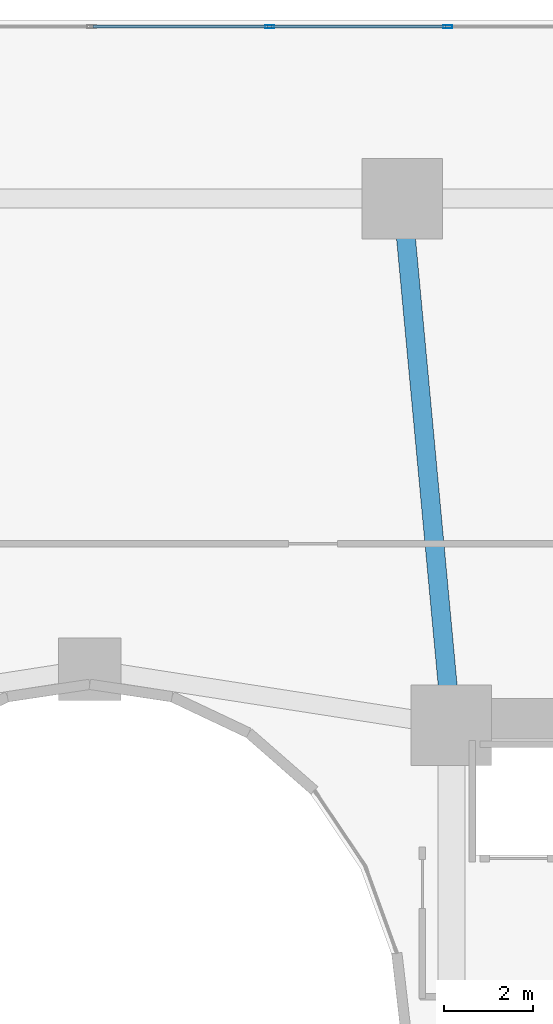
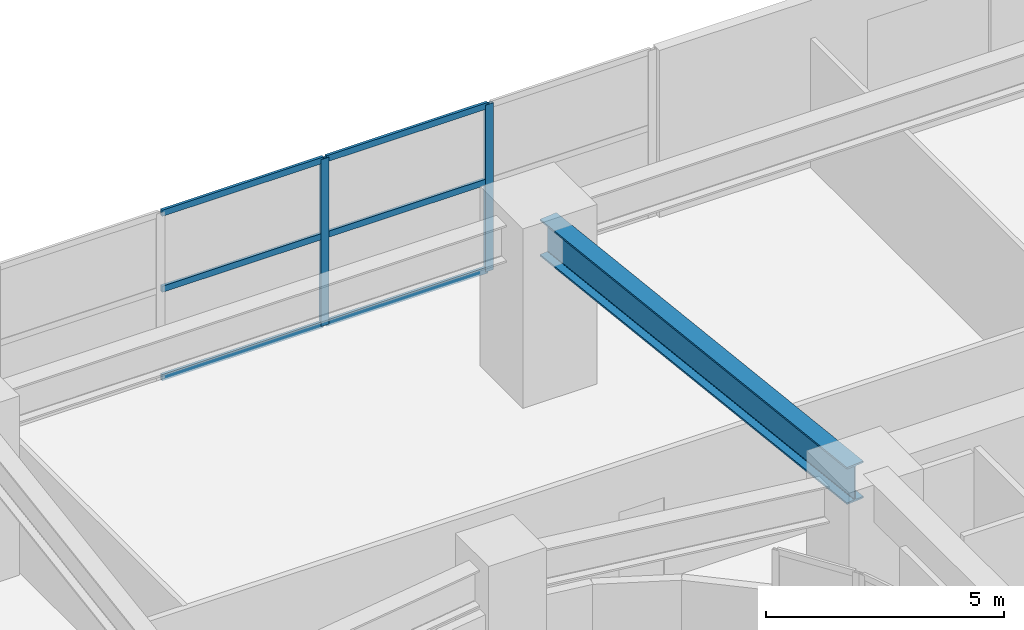
# One storey, part 12 of 25: 8 members, 1 beam, 1 element without a shape of its own.
"""IFC4 building model written with IfcOpenShell, lengths in metres."""

from ifc_helpers import new_model, si_unit, direction, frame, origin, origin_2d, place, context, subcontext, project, spatial, hollow_rectangle, i_section, extrude, material, layer, layer_set, material_profile, profile_set, type_object, element, aggregate, save


model = new_model("IFC4")

# Units and contexts
model_context = context("Model", 3, precision=1e-05, world=origin(), true_north=direction((0.0, 1.0)))
body_context = subcontext(model_context, "Body", "Model", "MODEL_VIEW")
ifc_project = project(units=[si_unit("LENGTHUNIT", "METRE"), si_unit("AREAUNIT", "SQUARE_METRE"), si_unit("VOLUMEUNIT", "CUBIC_METRE"), si_unit("PLANEANGLEUNIT", "RADIAN"), si_unit("MASSUNIT", "GRAM", prefix="KILO")], contexts=[model_context])

# Site, building, storey
site_placement = place(None, origin())
site = spatial("IfcSite", under=ifc_project, at=site_placement, CompositionType="ELEMENT")
building_placement = place(site_placement, origin())
building = spatial("IfcBuilding", under=site, at=building_placement, Name="Solvane Sanctuary Tower", CompositionType="ELEMENT")
storey_placement = place(building_placement, frame((0.0, 0.0, 4.60009765625)))
storey = spatial("IfcBuildingStorey", under=building, at=storey_placement, Name="L02", CompositionType="ELEMENT", Elevation=4.60009765625)

# Beam
ifc_material_1 = material(Name="Steel ASTM A913 Grade 65", Category="steel")
ifc_material_profile_1 = material_profile(ifc_material_1, i_section(OverallWidth=0.423095703125, OverallDepth=0.947998046875, WebThickness=0.02392578125, FlangeThickness=0.042724609375, FilletRadius=0.02392578125, at=origin_2d()), Name="W36X302")
ifc_profile_set_1 = profile_set([ifc_material_profile_1], Name="Steel ASTM A913 Grade 65")
beam_type = type_object("IfcBeamType", Name="Beam B-POD-GIRD W36X302", PredefinedType="BEAM", material=ifc_profile_set_1)
beam_placement = place(storey_placement, frame((39.032470703125, 41.651611328125, 3.803955078125), z_axis=(0.092807615301, -0.9956840596, 0.0), x_axis=(0.9956840596, 0.092807615301, 0.0)))
element("IfcBeam", 1, at=beam_placement, inside=storey, type_object=beam_type, Name="L02 Podium Primary Girder PG12", PredefinedType="BEAM", context=body_context, shape_type="SweptSolid", body=[
    extrude(i_section(OverallWidth=0.423095703125, OverallDepth=0.947998046875, WebThickness=0.02392578125, FlangeThickness=0.042724609375, FilletRadius=0.02392578125, at=origin_2d()), origin(), (0.0, 0.0, 1.0), 11.151123046875),
])

# Curtain wall, members
ifc_material_2 = material(Name="Anodised Aluminium 6063-T6", Category="aluminium")
ifc_layer = layer(ifc_material_2, 0.159912109375, Name="Anodised Aluminium 6063-T6")
ifc_layer_set = layer_set([ifc_layer], Name="Anodised Aluminium 6063-T6")
curtain_wall_type = type_object("IfcCurtainWallType", Name="Curtain Wall CW-POD", PredefinedType="NOTDEFINED", material=ifc_layer_set)
curtain_wall_placement = place(storey_placement, origin())
curtain_wall = element("IfcCurtainWall", 2, at=curtain_wall_placement, inside=storey, type_object=curtain_wall_type, Name="L02 Sanctuary Curtain Wall N2", PredefinedType="NOTDEFINED")
ifc_material_profile_2 = material_profile(ifc_material_2, hollow_rectangle(XDim=0.074951171875, YDim=0.199951171875, WallThickness=0.00390625, at=origin_2d()), Name="ALU200X75X4")
ifc_profile_set_2 = profile_set([ifc_material_profile_2], Name="Anodised Aluminium 6063-T6")
member_type_1 = type_object("IfcMemberType", Name="Member M-CW-MUL-1 ALU200X75X4", PredefinedType="MULLION", material=ifc_profile_set_2)
member_1_placement = place(storey_placement, frame((40.013427734375, 45.85009765625, 0.0), z_axis=(0.0, 0.0, 1.0), x_axis=(0.0, -1.0, 0.0)))
member_1 = element("IfcMember", 3, at=member_1_placement, type_object=member_type_1, Name="CW-POD mullion 2", PredefinedType="MULLION", context=body_context, shape_type="SweptSolid", body=[
    extrude(hollow_rectangle(XDim=0.074951171875, YDim=0.199951171875, WallThickness=0.00390625, at=origin_2d()), origin(), (0.0, 0.0, 1.0), 4.27978515625),
])
member_2_placement = place(storey_placement, frame((36.026611328125, 45.85009765625, 0.0), z_axis=(0.0, 0.0, 1.0), x_axis=(0.0, -1.0, 0.0)))
member_2 = element("IfcMember", 4, at=member_2_placement, type_object=member_type_1, Name="CW-POD mullion 3", PredefinedType="MULLION", context=body_context, shape_type="SweptSolid", body=[
    extrude(hollow_rectangle(XDim=0.074951171875, YDim=0.199951171875, WallThickness=0.00390625, at=origin_2d()), origin(), (0.0, 0.0, 1.0), 4.27978515625),
])
ifc_material_profile_3 = material_profile(ifc_material_2, hollow_rectangle(XDim=0.06494140625, YDim=0.159912109375, WallThickness=0.00341796875, at=origin_2d()), Name="ALU160X65X3.5")
ifc_profile_set_3 = profile_set([ifc_material_profile_3], Name="Anodised Aluminium 6063-T6")
member_type_2 = type_object("IfcMemberType", Name="Member M-CW-TRN-1 ALU160X65X3.5", PredefinedType="USERDEFINED", material=ifc_profile_set_3)
member_3_placement = place(storey_placement, frame((39.975830078125, 45.85009765625, 0.032470703125), z_axis=(-1.0, 0.0, 0.0), x_axis=(0.0, -1.0, 0.0)))
member_3 = element("IfcMember", 5, at=member_3_placement, type_object=member_type_2, Name="CW-POD transom 2.1", ObjectType="TRANSOM", PredefinedType="USERDEFINED", context=body_context, shape_type="SweptSolid", body=[
    extrude(hollow_rectangle(XDim=0.06494140625, YDim=0.159912109375, WallThickness=0.00341796875, at=origin_2d()), origin(), (0.0, 0.0, 1.0), 3.91162109375),
])
member_4_placement = place(storey_placement, frame((39.975830078125, 45.85009765625, 2.2998046875), z_axis=(-1.0, 0.0, 0.0), x_axis=(0.0, -1.0, 0.0)))
member_4 = element("IfcMember", 6, at=member_4_placement, type_object=member_type_2, Name="CW-POD transom 2.2", ObjectType="TRANSOM", PredefinedType="USERDEFINED", context=body_context, shape_type="SweptSolid", body=[
    extrude(hollow_rectangle(XDim=0.06494140625, YDim=0.159912109375, WallThickness=0.00341796875, at=origin_2d()), origin(), (0.0, 0.0, 1.0), 3.91162109375),
])
member_5_placement = place(storey_placement, frame((39.975830078125, 45.85009765625, 4.247314453125), z_axis=(-1.0, 0.0, 0.0), x_axis=(0.0, -1.0, 0.0)))
member_5 = element("IfcMember", 7, at=member_5_placement, type_object=member_type_2, Name="CW-POD transom 2.3", ObjectType="TRANSOM", PredefinedType="USERDEFINED", context=body_context, shape_type="SweptSolid", body=[
    extrude(hollow_rectangle(XDim=0.06494140625, YDim=0.159912109375, WallThickness=0.00341796875, at=origin_2d()), origin(), (0.0, 0.0, 1.0), 3.91162109375),
])
member_6_placement = place(storey_placement, frame((35.9892578125, 45.85009765625, 0.032470703125), z_axis=(-1.0, 0.0, 0.0), x_axis=(0.0, -1.0, 0.0)))
member_6 = element("IfcMember", 8, at=member_6_placement, type_object=member_type_2, Name="CW-POD transom 3.1", ObjectType="TRANSOM", PredefinedType="USERDEFINED", context=body_context, shape_type="SweptSolid", body=[
    extrude(hollow_rectangle(XDim=0.06494140625, YDim=0.159912109375, WallThickness=0.00341796875, at=origin_2d()), origin(), (0.0, 0.0, 1.0), 3.911865234375),
])
member_7_placement = place(storey_placement, frame((35.9892578125, 45.85009765625, 2.2998046875), z_axis=(-1.0, 0.0, 0.0), x_axis=(0.0, -1.0, 0.0)))
member_7 = element("IfcMember", 9, at=member_7_placement, type_object=member_type_2, Name="CW-POD transom 3.2", ObjectType="TRANSOM", PredefinedType="USERDEFINED", context=body_context, shape_type="SweptSolid", body=[
    extrude(hollow_rectangle(XDim=0.06494140625, YDim=0.159912109375, WallThickness=0.00341796875, at=origin_2d()), origin(), (0.0, 0.0, 1.0), 3.911865234375),
])
member_8_placement = place(storey_placement, frame((35.9892578125, 45.85009765625, 4.247314453125), z_axis=(-1.0, 0.0, 0.0), x_axis=(0.0, -1.0, 0.0)))
member_8 = element("IfcMember", 10, at=member_8_placement, type_object=member_type_2, Name="CW-POD transom 3.3", ObjectType="TRANSOM", PredefinedType="USERDEFINED", context=body_context, shape_type="SweptSolid", body=[
    extrude(hollow_rectangle(XDim=0.06494140625, YDim=0.159912109375, WallThickness=0.00341796875, at=origin_2d()), origin(), (0.0, 0.0, 1.0), 3.911865234375),
])
aggregate(curtain_wall, [member_1, member_2, member_3, member_4, member_5, member_6, member_7, member_8])

save(model, "model.ifc")
